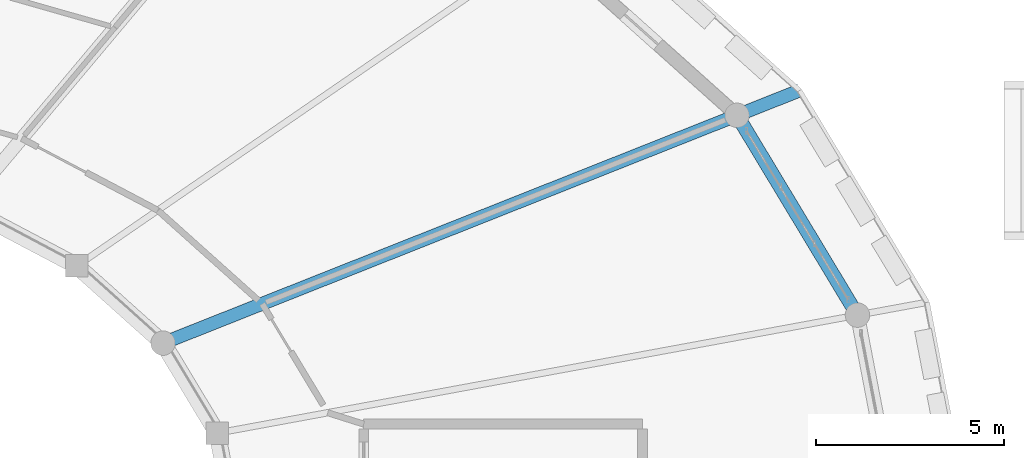
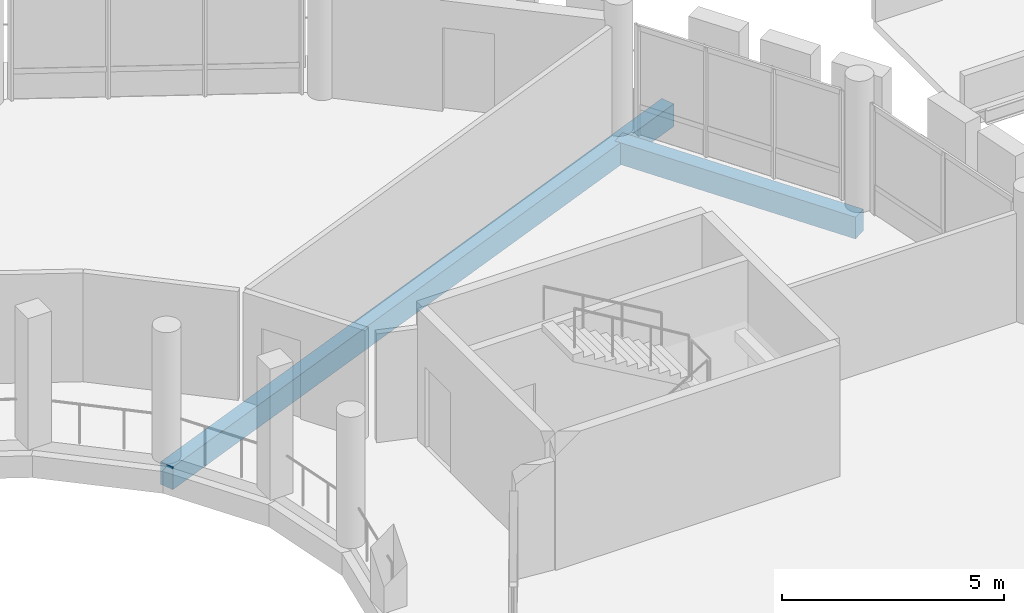
# One storey, part 48 of 93: 2 beams.
"""IFC4 building model written with IfcOpenShell, lengths in metres."""

from ifc_helpers import new_model, si_unit, direction, frame, origin, origin_2d, place, context, subcontext, project, spatial, rectangle, extrude, material, material_profile, profile_set, type_object, element, save


model = new_model("IFC4")

# Units and contexts
model_context = context("Model", 3, precision=1e-05, world=origin(), true_north=direction((0.0, 1.0)))
body_context = subcontext(model_context, "Body", "Model", "MODEL_VIEW")
ifc_project = project(units=[si_unit("LENGTHUNIT", "METRE"), si_unit("AREAUNIT", "SQUARE_METRE"), si_unit("VOLUMEUNIT", "CUBIC_METRE"), si_unit("PLANEANGLEUNIT", "RADIAN"), si_unit("MASSUNIT", "GRAM", prefix="KILO")], contexts=[model_context])

# Site, building, storey
site_placement = place(None, origin())
site = spatial("IfcSite", under=ifc_project, at=site_placement, CompositionType="ELEMENT")
building_placement = place(site_placement, origin())
building = spatial("IfcBuilding", under=site, at=building_placement, Name="Zornivar Specialist Clinic", CompositionType="ELEMENT")
storey_placement = place(building_placement, frame((0.0, 0.0, 8.39990234375)))
storey = spatial("IfcBuildingStorey", under=building, at=storey_placement, Name="L02", CompositionType="ELEMENT", Elevation=8.39990234375)

# Beams
ifc_material_1 = material(Name="Concrete C30/37", Category="concrete")
ifc_material_profile_1 = material_profile(ifc_material_1, rectangle(XDim=0.35009765625, YDim=0.6201171875, at=origin_2d()), Name="RC 350x620")
ifc_profile_set_1 = profile_set([ifc_material_profile_1], Name="Concrete C30/37")
beam_type_1 = type_object("IfcBeamType", Name="BM-RC-CANT-350x620", PredefinedType="BEAM", material=ifc_profile_set_1)
beam_1_placement = place(storey_placement, frame((106.071044921875, 62.550048828125, -0.5498046875), z_axis=(0.92946024729, 0.368922280036, 0.0), x_axis=(-0.368922280036, 0.92946024729, 0.0)))
element("IfcBeam", 1, at=beam_1_placement, inside=storey, type_object=beam_type_1, Name="bm:V1:L02:radcant:02", PredefinedType="BEAM", context=body_context, shape_type="SweptSolid", body=[
    extrude(rectangle(XDim=0.35009765625, YDim=0.6201171875, at=origin_2d()), origin(), (0.0, 0.0, 1.0), 18.18798828125),
])
ifc_material_2 = material(Name="Concrete C30/37", Category="concrete")
ifc_material_profile_2 = material_profile(ifc_material_2, rectangle(XDim=0.3701171875, YDim=0.60009765625, at=origin_2d()), Name="RC 370x600")
ifc_profile_set_2 = profile_set([ifc_material_profile_2], Name="Concrete C30/37")
beam_type_2 = type_object("IfcBeamType", Name="BM-RC-SPANDREL-370x600", PredefinedType="SPANDREL", material=ifc_profile_set_2)
beam_2_placement = place(storey_placement, frame((124.510009765625, 63.2939453125, -0.539794921875), z_axis=(-0.516077084803, 0.856542142887, 0.0), x_axis=(-0.856542142887, -0.516077084803, 0.0)))
element("IfcBeam", 2, at=beam_2_placement, inside=storey, type_object=beam_type_2, Name="bm:V1:L02:outring:01", PredefinedType="SPANDREL", context=body_context, shape_type="SweptSolid", body=[
    extrude(rectangle(XDim=0.3701171875, YDim=0.60009765625, at=origin_2d()), origin(), (0.0, 0.0, 1.0), 6.19482421875),
])

save(model, "model.ifc")
